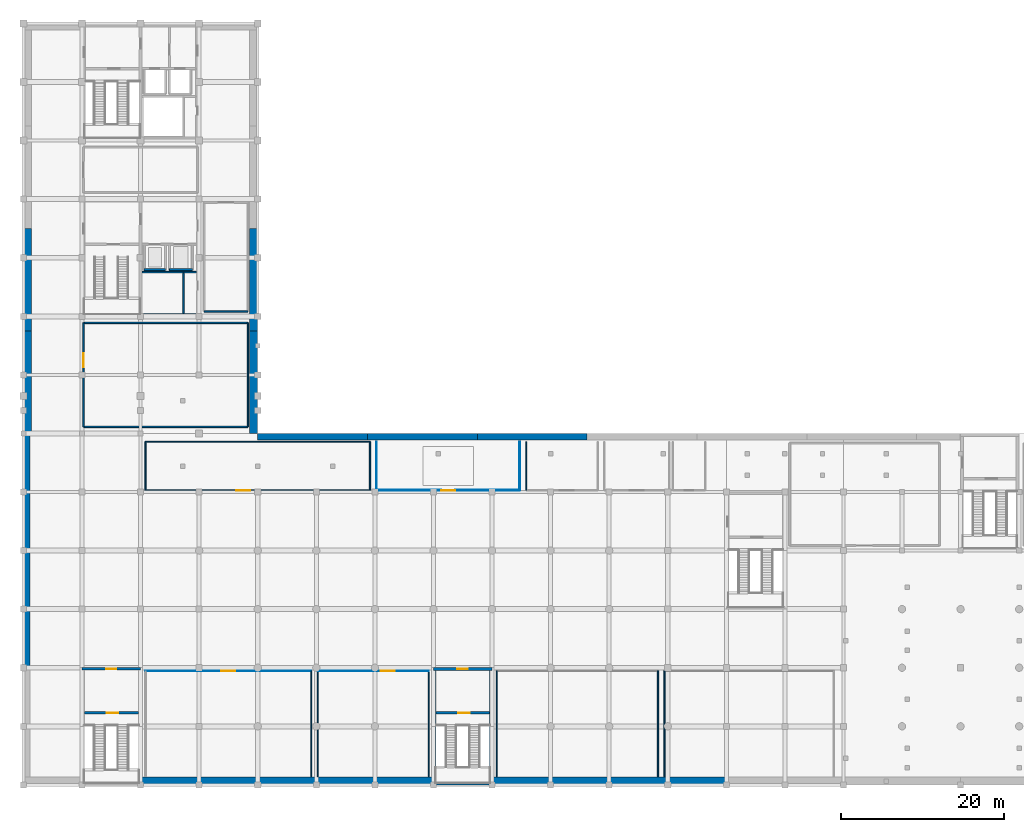
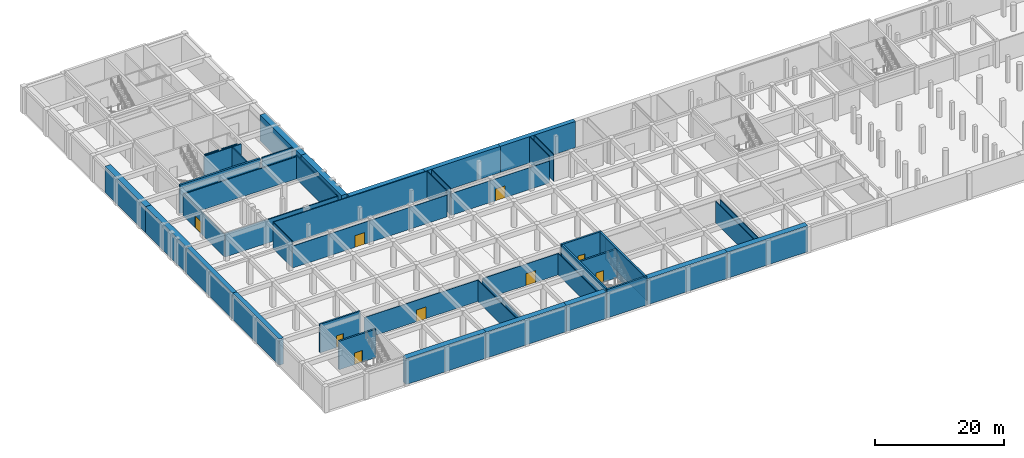
# One storey, part 5 of 15: 47 walls, 9 doors, 9 openings.
"""IFC4 building model written with IfcOpenShell, lengths in metres."""

from ifc_helpers import new_model, si_unit, direction, frame, frame_2d, origin, place, context, subcontext, project, spatial, rectangle, extrude, material, layer, layer_set, type_object, element, fill, save


model = new_model("IFC4")

# Units and contexts
model_context = context("Model", 3, precision=1e-05, world=origin(), true_north=direction((0.0, 1.0)))
body_context = subcontext(model_context, "Body", "Model", "MODEL_VIEW")
ifc_project = project(units=[si_unit("LENGTHUNIT", "METRE"), si_unit("AREAUNIT", "SQUARE_METRE"), si_unit("VOLUMEUNIT", "CUBIC_METRE"), si_unit("PLANEANGLEUNIT", "RADIAN"), si_unit("MASSUNIT", "GRAM", prefix="KILO")], contexts=[model_context])

# Site, building, storey
site_placement = place(None, origin())
site = spatial("IfcSite", under=ifc_project, at=site_placement, CompositionType="ELEMENT")
building_placement = place(site_placement, origin())
building = spatial("IfcBuilding", under=site, at=building_placement, Name="Leyfeld Transit Interchange", CompositionType="ELEMENT")
storey_placement = place(building_placement, frame((0.0, 0.0, -5.39990234375)))
storey = spatial("IfcBuildingStorey", under=building, at=storey_placement, Name="B01", CompositionType="ELEMENT", Elevation=-5.39990234375)

# Walls
ifc_material_1 = material(Name="Concrete C35/45", Category="concrete")
ifc_layer_1 = layer(ifc_material_1, 1.0, Name="Concrete C35/45")
ifc_layer_set_1 = layer_set([ifc_layer_1], Name="Concrete C35/45")
wall_type_1 = type_object("IfcWallType", Name="WL-DW-1000", PredefinedType="USERDEFINED", material=ifc_layer_set_1)
wall_1_placement = place(storey_placement, frame((86.39990234375, 14.89990234375, 0.0), z_axis=(0.0, 0.0, 1.0), x_axis=(-1.0, 0.0, 0.0)))
element("IfcWall", 1, at=wall_1_placement, inside=storey, type_object=wall_type_1, Name="Metro Diaphragm Wall DW-B01-S01-P06", ObjectType="RETAININGWALL", PredefinedType="USERDEFINED", context=body_context, shape_type="SweptSolid", body=[
    extrude(rectangle(XDim=14.39990234375, YDim=1.0, at=frame_2d((7.199951171875, 0.0))), origin(), (0.0, 0.0, 1.0), 4.949951171875),
])
wall_2_placement = place(storey_placement, frame((72.0, 14.89990234375, 0.0), z_axis=(0.0, 0.0, 1.0), x_axis=(-1.0, 0.0, 0.0)))
element("IfcWall", 2, at=wall_2_placement, inside=storey, type_object=wall_type_1, Name="Metro Diaphragm Wall DW-B01-S01-P07", ObjectType="RETAININGWALL", PredefinedType="USERDEFINED", context=body_context, shape_type="SweptSolid", body=[
    extrude(rectangle(XDim=14.35009765625, YDim=1.0, at=frame_2d((7.175048828125, 0.0))), origin(), (0.0, 0.0, 1.0), 4.949951171875),
])
wall_3_placement = place(storey_placement, frame((50.35009765625, 14.89990234375, 0.0), z_axis=(0.0, 0.0, 1.0), x_axis=(-1.0, 0.0, 0.0)))
element("IfcWall", 3, at=wall_3_placement, inside=storey, type_object=wall_type_1, Name="Metro Diaphragm Wall DW-B01-S01-P08", ObjectType="RETAININGWALL", PredefinedType="USERDEFINED", context=body_context, shape_type="SweptSolid", body=[
    extrude(rectangle(XDim=7.150146484375, YDim=1.0, at=frame_2d((3.5751953125, 0.0))), origin(), (0.0, 0.0, 1.0), 4.949951171875),
])
wall_4_placement = place(storey_placement, frame((43.199951171875, 14.89990234375, 0.0), z_axis=(0.0, 0.0, 1.0), x_axis=(-1.0, 0.0, 0.0)))
element("IfcWall", 4, at=wall_4_placement, inside=storey, type_object=wall_type_1, Name="Metro Diaphragm Wall DW-B01-S01-P09", ObjectType="RETAININGWALL", PredefinedType="USERDEFINED", context=body_context, shape_type="SweptSolid", body=[
    extrude(rectangle(XDim=14.39990234375, YDim=1.0, at=frame_2d((7.199951171875, 0.0))), origin(), (0.0, 0.0, 1.0), 4.949951171875),
])
wall_5_placement = place(storey_placement, frame((28.800048828125, 14.89990234375, 0.0), z_axis=(0.0, 0.0, 1.0), x_axis=(-1.0, 0.0, 0.0)))
element("IfcWall", 5, at=wall_5_placement, inside=storey, type_object=wall_type_1, Name="Metro Diaphragm Wall DW-B01-S01-P10", ObjectType="RETAININGWALL", PredefinedType="USERDEFINED", context=body_context, shape_type="SweptSolid", body=[
    extrude(rectangle(XDim=14.35009765625, YDim=1.0, at=frame_2d((7.175048828125, 0.0))), origin(), (0.0, 0.0, 1.0), 4.949951171875),
])
wall_6_placement = place(storey_placement, frame((0.5, 57.60009765625, 0.0), z_axis=(0.0, 0.0, 1.0), x_axis=(0.0, 1.0, 0.0)))
element("IfcWall", 6, at=wall_6_placement, inside=storey, type_object=wall_type_1, Name="Metro Diaphragm Wall DW-B01-S03-P01", ObjectType="RETAININGWALL", PredefinedType="USERDEFINED", context=body_context, shape_type="SweptSolid", body=[
    extrude(rectangle(XDim=12.599853515625, YDim=1.0, at=frame_2d((6.2998046875, 0.0))), origin(), (0.0, 0.0, 1.0), 4.949951171875),
])
for number, where, z_axis, x_axis, name in (
    (7, (0.5, 70.199951171875, 0.0), (0.0, 0.0, 1.0), (0.0, 1.0, 0.0), "Metro Diaphragm Wall DW-B01-S03-P02"),
    (8, (28.300048828125, 82.800048828125, 0.0), (0.0, 0.0, 1.0), (0.0, -1.0, 0.0), "Metro Diaphragm Wall DW-B01-S05-P03"),
):
    element("IfcWall", number, at=place(storey_placement, frame(where, z_axis=z_axis, x_axis=x_axis)), inside=storey, type_object=wall_type_1, Name=name, ObjectType="RETAININGWALL", PredefinedType="USERDEFINED", context=body_context, shape_type="SweptSolid", body=[
        extrude(rectangle(XDim=12.60009765625, YDim=1.0, at=frame_2d((6.300048828125, 0.0))), origin(), (0.0, 0.0, 1.0), 4.949951171875),
    ])
wall_7_placement = place(storey_placement, frame((28.300048828125, 70.199951171875, 0.0), z_axis=(0.0, 0.0, 1.0), x_axis=(0.0, -1.0, 0.0)))
element("IfcWall", 9, at=wall_7_placement, inside=storey, type_object=wall_type_1, Name="Metro Diaphragm Wall DW-B01-S05-P04", ObjectType="RETAININGWALL", PredefinedType="USERDEFINED", context=body_context, shape_type="SweptSolid", body=[
    extrude(rectangle(XDim=12.599853515625, YDim=1.0, at=frame_2d((6.2998046875, 0.0))), origin(), (0.0, 0.0, 1.0), 4.949951171875),
])
ifc_layer_2 = layer(ifc_material_1, 0.800048828125, Name="Concrete C35/45")
ifc_layer_set_2 = layer_set([ifc_layer_2], Name="Concrete C35/45")
wall_type_2 = type_object("IfcWallType", Name="WL-DW-800", PredefinedType="USERDEFINED", material=ifc_layer_set_2)
wall_8_placement = place(storey_placement, frame((0.39990234375, 28.800048828125, 0.0), z_axis=(0.0, 0.0, 1.0), x_axis=(0.0, 1.0, 0.0)))
element("IfcWall", 10, at=wall_8_placement, inside=storey, type_object=wall_type_2, Name="Metro Diaphragm Wall DW-B01-S02-P02", ObjectType="RETAININGWALL", PredefinedType="USERDEFINED", context=body_context, shape_type="SweptSolid", body=[
    extrude(rectangle(XDim=14.39990234375, YDim=0.800048828125, at=frame_2d((7.199951171875, 0.0))), origin(), (0.0, 0.0, 1.0), 4.949951171875),
])
wall_9_placement = place(storey_placement, frame((0.39990234375, 43.199951171875, 0.0), z_axis=(0.0, 0.0, 1.0), x_axis=(0.0, 1.0, 0.0)))
element("IfcWall", 11, at=wall_9_placement, inside=storey, type_object=wall_type_2, Name="Metro Diaphragm Wall DW-B01-S02-P03", ObjectType="RETAININGWALL", PredefinedType="USERDEFINED", context=body_context, shape_type="SweptSolid", body=[
    extrude(rectangle(XDim=14.400146484375, YDim=0.800048828125, at=frame_2d((7.2001953125, 0.0))), origin(), (0.0, 0.0, 1.0), 4.949951171875),
])
for number, where, z_axis, x_axis, name in (
    (12, (28.800048828125, 57.199951171875, 0.0), (0.0, 0.0, 1.0), (1.0, 0.0, 0.0), "Metro Diaphragm Wall DW-B01-S06-P01"),
    (13, (42.300048828125, 57.199951171875, 0.0), (0.0, 0.0, 1.0), (1.0, 0.0, 0.0), "Metro Diaphragm Wall DW-B01-S06-P02"),
    (14, (55.800048828125, 57.199951171875, 0.0), (0.0, 0.0, 1.0), (1.0, 0.0, 0.0), "Metro Diaphragm Wall DW-B01-S06-P03"),
):
    element("IfcWall", number, at=place(storey_placement, frame(where, z_axis=z_axis, x_axis=x_axis)), inside=storey, type_object=wall_type_2, Name=name, ObjectType="RETAININGWALL", PredefinedType="USERDEFINED", context=body_context, shape_type="SweptSolid", body=[
        extrude(rectangle(XDim=13.5, YDim=0.800048828125, at=frame_2d((6.75, 0.0))), origin(), (0.0, 0.0, 1.0), 4.949951171875),
    ])
ifc_material_2 = material(Name="Calcium silicate masonry", Category="masonry")
ifc_layer_3 = layer(ifc_material_2, 0.175048828125, Name="Calcium silicate masonry")
ifc_layer_set_3 = layer_set([ifc_layer_3], Name="Calcium silicate masonry")
wall_type_3 = type_object("IfcWallType", Name="WL-INT-COR-175", PredefinedType="PARTITIONING", material=ifc_layer_set_3)
wall_10_placement = place(storey_placement, frame((7.39990234375, 71.199951171875, 0.0), z_axis=(0.0, 0.0, 1.0), x_axis=(1.0, 0.0, 0.0)))
element("IfcWall", 15, at=wall_10_placement, inside=storey, type_object=wall_type_3, Name="Interior Partition B01-CYC-01 N", PredefinedType="PARTITIONING", context=body_context, shape_type="SweptSolid", body=[
    extrude(rectangle(XDim=20.2001953125, YDim=0.175048828125, at=frame_2d((10.10009765625, 0.0))), origin(), (0.0, 0.0, 1.0), 4.199951171875),
])
wall_11_placement = place(storey_placement, frame((27.60009765625, 58.39990234375, 0.0), z_axis=(0.0, 0.0, 1.0), x_axis=(-1.0, 0.0, 0.0)))
element("IfcWall", 16, at=wall_11_placement, inside=storey, type_object=wall_type_3, Name="Interior Partition B01-CYC-01 S", PredefinedType="PARTITIONING", context=body_context, shape_type="SweptSolid", body=[
    extrude(rectangle(XDim=20.2001953125, YDim=0.175048828125, at=frame_2d((10.10009765625, 0.0))), origin(), (0.0, 0.0, 1.0), 4.449951171875),
])
wall_12_placement = place(storey_placement, frame((27.60009765625, 71.199951171875, 0.0), z_axis=(0.0, 0.0, 1.0), x_axis=(0.0, -1.0, 0.0)))
element("IfcWall", 17, at=wall_12_placement, inside=storey, type_object=wall_type_3, Name="Interior Partition B01-CYC-01 E", PredefinedType="PARTITIONING", context=body_context, shape_type="SweptSolid", body=[
    extrude(rectangle(XDim=12.800048828125, YDim=0.175048828125, at=frame_2d((6.39990234375, 0.0))), origin(), (0.0, 0.0, 1.0), 4.449951171875),
])

# Wall, opening, door
wall_13_placement = place(storey_placement, frame((7.39990234375, 58.39990234375, 0.0), z_axis=(0.0, 0.0, 1.0), x_axis=(0.0, 1.0, 0.0)))
wall_13 = element("IfcWall", 18, at=wall_13_placement, inside=storey, type_object=wall_type_3, Name="Interior Partition B01-CYC-01 W", PredefinedType="PARTITIONING", context=body_context, shape_type="SweptSolid", body=[
    extrude(rectangle(XDim=12.800048828125, YDim=0.175048828125, at=frame_2d((6.39990234375, 0.0))), origin(), (0.0, 0.0, 1.0), 4.199951171875),
])
opening_1_placement = place(wall_13_placement, frame((7.31005859375, 0.0, 0.0)))
opening_1 = element("IfcOpeningElement", 19, at=opening_1_placement, cuts=wall_13, Name="Opening DU-19", PredefinedType="OPENING", context=body_context, shape_type="SweptSolid", body=[
    extrude(rectangle(XDim=1.780029296875, YDim=2.280029296875, at=frame_2d((0.89013671875, 1.14013671875))), frame((0.0, 0.097412109375, 0.0), z_axis=(0.0, -1.0, 0.0), x_axis=(1.0, 0.0, 0.0)), (0.0, 0.0, 1.0), 0.195068359375),
])
ifc_material_3 = material(Name="Austrian larch glulam GL28h", Category="wood")
door_type_1 = type_object("IfcDoorType", Name="DR-UNQ-19", OperationType="NOTDEFINED", PredefinedType="DOOR", material=ifc_material_3)
door_1_placement = place(opening_1_placement, origin())
door_1 = element("IfcDoor", 20, at=door_1_placement, inside=storey, type_object=door_type_1, Name="DR-B01-CYC-01", OperationType="DOUBLE_DOOR_SINGLE_SWING", OverallHeight=2.280029296875, OverallWidth=1.780029296875, PredefinedType="DOOR", context=body_context, shape_type="SweptSolid", body=[
    extrude(rectangle(XDim=1.780029296875, YDim=2.280029296875, at=frame_2d((0.89013671875, 1.14013671875))), frame((0.0, 0.02490234375, 0.0), z_axis=(0.0, -1.0, 0.0), x_axis=(1.0, 0.0, 0.0)), (0.0, 0.0, 1.0), 0.050048828125),
])
fill(opening_1, door_1)

# Wall
wall_14_placement = place(storey_placement, frame((27.60009765625, 72.60009765625, 0.0), z_axis=(0.0, 0.0, 1.0), x_axis=(-1.0, 0.0, 0.0)))
element("IfcWall", 21, at=wall_14_placement, inside=storey, type_object=wall_type_3, Name="Interior Partition B01-BIK-01 S", PredefinedType="PARTITIONING", context=body_context, shape_type="SweptSolid", body=[
    extrude(rectangle(XDim=5.400146484375, YDim=0.175048828125, at=frame_2d((2.7001953125, 0.0))), origin(), (0.0, 0.0, 1.0), 5.0498046875),
])

# Wall, opening, door
ifc_material_4 = material(Name="Laminated safety acoustic glazing", Category="glass")
ifc_layer_4 = layer(ifc_material_4, 0.10498046875, Name="Laminated safety acoustic glazing")
ifc_layer_set_4 = layer_set([ifc_layer_4], Name="Laminated safety acoustic glazing")
wall_type_4 = type_object("IfcWallType", Name="WL-INT-GLZ-105", PredefinedType="PARTITIONING", material=ifc_layer_set_4)
wall_15_placement = place(storey_placement, frame((15.0, 28.39990234375, 0.0), z_axis=(0.0, 0.0, 1.0), x_axis=(1.0, 0.0, 0.0)))
wall_15 = element("IfcWall", 22, at=wall_15_placement, inside=storey, type_object=wall_type_4, Name="Interior Partition B01-TIC-01 N", PredefinedType="PARTITIONING", context=body_context, shape_type="SweptSolid", body=[
    extrude(rectangle(XDim=20.39990234375, YDim=0.10498046875, at=frame_2d((10.199951171875, 0.0))), origin(), (0.0, 0.0, 1.0), 4.0498046875),
])
opening_2_placement = place(wall_15_placement, frame((9.340087890625, 0.0, 0.0)))
opening_2 = element("IfcOpeningElement", 23, at=opening_2_placement, cuts=wall_15, Name="Opening DU-18", PredefinedType="OPENING", context=body_context, shape_type="SweptSolid", body=[
    extrude(rectangle(XDim=1.719970703125, YDim=2.219970703125, at=frame_2d((0.85986328125, 1.10986328125))), frame((0.0, 0.0625, 0.0), z_axis=(0.0, -1.0, 0.0), x_axis=(1.0, 0.0, 0.0)), (0.0, 0.0, 1.0), 0.125),
])
door_type_2 = type_object("IfcDoorType", Name="DR-UNQ-18", OperationType="NOTDEFINED", PredefinedType="DOOR", material=ifc_material_3)
door_2_placement = place(opening_2_placement, origin())
door_2 = element("IfcDoor", 24, at=door_2_placement, inside=storey, type_object=door_type_2, Name="DR-B01-TIC-01", OperationType="DOUBLE_DOOR_SINGLE_SWING", OverallHeight=2.219970703125, OverallWidth=1.719970703125, PredefinedType="DOOR", context=body_context, shape_type="SweptSolid", body=[
    extrude(rectangle(XDim=1.719970703125, YDim=2.219970703125, at=frame_2d((0.85986328125, 1.10986328125))), frame((0.0, 0.02490234375, 0.0), z_axis=(0.0, -1.0, 0.0), x_axis=(1.0, 0.0, 0.0)), (0.0, 0.0, 1.0), 0.050048828125),
])
fill(opening_2, door_2)

wall_16_placement = place(storey_placement, frame((36.199951171875, 28.39990234375, 0.0), z_axis=(0.0, 0.0, 1.0), x_axis=(1.0, 0.0, 0.0)))
wall_16 = element("IfcWall", 25, at=wall_16_placement, inside=storey, type_object=wall_type_4, Name="Interior Partition B01-RET-01 N", PredefinedType="PARTITIONING", context=body_context, shape_type="SweptSolid", body=[
    extrude(rectangle(XDim=13.60009765625, YDim=0.10498046875, at=frame_2d((6.800048828125, 0.0))), origin(), (0.0, 0.0, 1.0), 4.0498046875),
])
opening_3_placement = place(wall_16_placement, frame((7.739990234375, 0.0, 0.0)))
opening_3 = element("IfcOpeningElement", 26, at=opening_3_placement, cuts=wall_16, Name="Opening DU-18", PredefinedType="OPENING", context=body_context, shape_type="SweptSolid", body=[
    extrude(rectangle(XDim=1.719970703125, YDim=2.219970703125, at=frame_2d((0.85986328125, 1.10986328125))), frame((0.0, 0.0625, 0.0), z_axis=(0.0, -1.0, 0.0), x_axis=(1.0, 0.0, 0.0)), (0.0, 0.0, 1.0), 0.125),
])
door_3_placement = place(opening_3_placement, origin())
door_3 = element("IfcDoor", 27, at=door_3_placement, inside=storey, type_object=door_type_2, Name="DR-B01-RET-01", OperationType="DOUBLE_DOOR_SINGLE_SWING", OverallHeight=2.219970703125, OverallWidth=1.719970703125, PredefinedType="DOOR", context=body_context, shape_type="SweptSolid", body=[
    extrude(rectangle(XDim=1.719970703125, YDim=2.219970703125, at=frame_2d((0.85986328125, 1.10986328125))), frame((0.0, 0.02490234375, 0.0), z_axis=(0.0, -1.0, 0.0), x_axis=(1.0, 0.0, 0.0)), (0.0, 0.0, 1.0), 0.050048828125),
])
fill(opening_3, door_3)

ifc_material_5 = material(Name="Gypsum plasterboard acoustic stud", Category="gypsum")
ifc_layer_5 = layer(ifc_material_5, 0.114990234375, Name="Gypsum plasterboard acoustic stud")
ifc_layer_set_5 = layer_set([ifc_layer_5], Name="Gypsum plasterboard acoustic stud")
wall_type_5 = type_object("IfcWallType", Name="WL-INT-OFF-115", PredefinedType="PARTITIONING", material=ifc_layer_set_5)
wall_17_placement = place(storey_placement, frame((61.0, 50.60009765625, 0.0), z_axis=(0.0, 0.0, 1.0), x_axis=(-1.0, 0.0, 0.0)))
wall_17 = element("IfcWall", 28, at=wall_17_placement, inside=storey, type_object=wall_type_5, Name="Interior Partition B01-SEC-01 S", PredefinedType="PARTITIONING", context=body_context, shape_type="SweptSolid", body=[
    extrude(rectangle(XDim=17.60009765625, YDim=0.114990234375, at=frame_2d((8.800048828125, 0.0))), origin(), (0.0, 0.0, 1.0), 4.14990234375),
])
opening_4_placement = place(wall_17_placement, frame((7.93994140625, 0.0, 0.0)))
opening_4 = element("IfcOpeningElement", 29, at=opening_4_placement, cuts=wall_17, Name="Opening DU-18", PredefinedType="OPENING", context=body_context, shape_type="SweptSolid", body=[
    extrude(rectangle(XDim=1.719970703125, YDim=2.219970703125, at=frame_2d((0.85986328125, 1.10986328125))), frame((0.0, 0.0673828125, 0.0), z_axis=(0.0, -1.0, 0.0), x_axis=(1.0, 0.0, 0.0)), (0.0, 0.0, 1.0), 0.135009765625),
])
door_4_placement = place(opening_4_placement, origin())
door_4 = element("IfcDoor", 30, at=door_4_placement, inside=storey, type_object=door_type_2, Name="DR-B01-SEC-01", OperationType="DOUBLE_DOOR_SINGLE_SWING", OverallHeight=2.219970703125, OverallWidth=1.719970703125, PredefinedType="DOOR", context=body_context, shape_type="SweptSolid", body=[
    extrude(rectangle(XDim=1.719970703125, YDim=2.219970703125, at=frame_2d((0.85986328125, 1.10986328125))), frame((0.0, 0.02490234375, 0.0), z_axis=(0.0, -1.0, 0.0), x_axis=(1.0, 0.0, 0.0)), (0.0, 0.0, 1.0), 0.050048828125),
])
fill(opening_4, door_4)

# Walls
for number, where, z_axis, x_axis, name in (
    (31, (61.0, 56.60009765625, 0.0), (0.0, 0.0, 1.0), (0.0, -1.0, 0.0), "Interior Partition B01-SEC-01 E"),
    (32, (43.39990234375, 50.60009765625, 0.0), (0.0, 0.0, 1.0), (0.0, 1.0, 0.0), "Interior Partition B01-SEC-01 W"),
):
    element("IfcWall", number, at=place(storey_placement, frame(where, z_axis=z_axis, x_axis=x_axis)), inside=storey, type_object=wall_type_5, Name=name, PredefinedType="PARTITIONING", context=body_context, shape_type="SweptSolid", body=[
        extrude(rectangle(XDim=6.0, YDim=0.114990234375, at=frame_2d((3.0, 0.0))), origin(), (0.0, 0.0, 1.0), 5.0498046875),
    ])
ifc_layer_6 = layer(ifc_material_2, 0.18994140625, Name="Calcium silicate masonry")
ifc_layer_set_6 = layer_set([ifc_layer_6], Name="Calcium silicate masonry")
wall_type_6 = type_object("IfcWallType", Name="WL-INT-PLT-190", PredefinedType="PARTITIONING", material=ifc_layer_set_6)
wall_18_placement = place(storey_placement, frame((14.580078125, 77.419921875, 0.0), z_axis=(0.0, 0.0, 1.0), x_axis=(1.0, 0.0, 0.0)))
element("IfcWall", 33, at=wall_18_placement, inside=storey, type_object=wall_type_6, Name="Core K3 Riser Compartment Wall B01", PredefinedType="PARTITIONING", context=body_context, shape_type="SweptSolid", body=[
    extrude(rectangle(XDim=6.669921875, YDim=0.18994140625, at=frame_2d((3.3349609375, 0.0))), origin(), (0.0, 0.0, 1.0), 5.0498046875),
])
wall_19_placement = place(storey_placement, frame((19.64990234375, 72.35009765625, 0.0), z_axis=(0.0, 0.0, 1.0), x_axis=(0.0, 1.0, 0.0)))
element("IfcWall", 34, at=wall_19_placement, inside=storey, type_object=wall_type_6, Name="Core K3 Riser Shaft East Wall B01", PredefinedType="PARTITIONING", context=body_context, shape_type="SweptSolid", body=[
    extrude(rectangle(XDim=4.97998046875, YDim=0.18994140625, at=frame_2d((2.489990234375, 0.0))), origin(), (0.0, 0.0, 1.0), 5.0498046875),
])
ifc_layer_7 = layer(ifc_material_5, 0.135009765625, Name="Gypsum plasterboard acoustic stud")
ifc_layer_set_7 = layer_set([ifc_layer_7], Name="Gypsum plasterboard acoustic stud")
wall_type_7 = type_object("IfcWallType", Name="WL-INT-RET-135", PredefinedType="PARTITIONING", material=ifc_layer_set_7)
for number, where, z_axis, x_axis, name in (
    (35, (35.39990234375, 28.39990234375, 0.0), (0.0, 0.0, 1.0), (0.0, -1.0, 0.0), "Interior Partition B01-TIC-01 E"),
    (36, (49.800048828125, 28.39990234375, 0.0), (0.0, 0.0, 1.0), (0.0, -1.0, 0.0), "Interior Partition B01-RET-01 E"),
    (37, (36.199951171875, 15.39990234375, 0.0), (0.0, 0.0, 1.0), (0.0, 1.0, 0.0), "Interior Partition B01-RET-01 W"),
    (38, (78.0, 28.39990234375, 0.0), (0.0, 0.0, 1.0), (0.0, -1.0, 0.0), "Interior Partition B01-RET-02 E"),
    (39, (58.199951171875, 15.39990234375, 0.0), (0.0, 0.0, 1.0), (0.0, 1.0, 0.0), "Interior Partition B01-RET-02 W"),
    (40, (78.800048828125, 15.39990234375, 0.0), (0.0, 0.0, 1.0), (0.0, 1.0, 0.0), "Interior Partition B01-RET-03 W"),
):
    element("IfcWall", number, at=place(storey_placement, frame(where, z_axis=z_axis, x_axis=x_axis)), inside=storey, type_object=wall_type_7, Name=name, PredefinedType="PARTITIONING", context=body_context, shape_type="SweptSolid", body=[
        extrude(rectangle(XDim=13.0, YDim=0.135009765625, at=frame_2d((6.5, 0.0))), origin(), (0.0, 0.0, 1.0), 4.0498046875),
    ])
ifc_layer_8 = layer(ifc_material_1, 0.219970703125, Name="Concrete C35/45")
ifc_layer_set_8 = layer_set([ifc_layer_8], Name="Concrete C35/45")
wall_type_8 = type_object("IfcWallType", Name="WL-INT-SHF-220", PredefinedType="PARTITIONING", material=ifc_layer_set_8)
wall_20_placement = place(storey_placement, frame((14.840087890625, 77.739990234375, 0.0), z_axis=(0.0, 0.0, 1.0), x_axis=(1.0, 0.0, 0.0)))
element("IfcWall", 41, at=wall_20_placement, inside=storey, type_object=wall_type_8, Name="Core K3 Lift PL-3 Shaft Back Wall B01", PredefinedType="PARTITIONING", context=body_context, shape_type="SweptSolid", body=[
    extrude(rectangle(XDim=2.619873046875, YDim=0.219970703125, at=frame_2d((1.31005859375, 0.0))), origin(), (0.0, 0.0, 1.0), 5.0498046875),
])
wall_21_placement = place(storey_placement, frame((17.93994140625, 77.739990234375, 0.0), z_axis=(0.0, 0.0, 1.0), x_axis=(1.0, 0.0, 0.0)))
element("IfcWall", 42, at=wall_21_placement, inside=storey, type_object=wall_type_8, Name="Core K3 Lift GL-1 Shaft Back Wall B01", PredefinedType="PARTITIONING", context=body_context, shape_type="SweptSolid", body=[
    extrude(rectangle(XDim=2.820068359375, YDim=0.219970703125, at=frame_2d((1.41015625, 0.0))), origin(), (0.0, 0.0, 1.0), 5.0498046875),
])
ifc_layer_9 = layer(ifc_material_5, 0.14501953125, Name="Gypsum plasterboard acoustic stud")
ifc_layer_set_9 = layer_set([ifc_layer_9], Name="Gypsum plasterboard acoustic stud")
wall_type_9 = type_object("IfcWallType", Name="WL-INT-STD-145", PredefinedType="PARTITIONING", material=ifc_layer_set_9)
wall_22_placement = place(storey_placement, frame((15.0, 56.60009765625, 0.0), z_axis=(0.0, 0.0, 1.0), x_axis=(1.0, 0.0, 0.0)))
element("IfcWall", 43, at=wall_22_placement, inside=storey, type_object=wall_type_9, Name="Interior Partition B01-LUG-01 N", PredefinedType="PARTITIONING", context=body_context, shape_type="SweptSolid", body=[
    extrude(rectangle(XDim=27.60009765625, YDim=0.14501953125, at=frame_2d((13.800048828125, 0.0))), origin(), (0.0, 0.0, 1.0), 5.0498046875),
])

# Wall, opening, door
wall_23_placement = place(storey_placement, frame((42.60009765625, 50.60009765625, 0.0), z_axis=(0.0, 0.0, 1.0), x_axis=(-1.0, 0.0, 0.0)))
wall_23 = element("IfcWall", 44, at=wall_23_placement, inside=storey, type_object=wall_type_9, Name="Interior Partition B01-LUG-01 S", PredefinedType="PARTITIONING", context=body_context, shape_type="SweptSolid", body=[
    extrude(rectangle(XDim=27.60009765625, YDim=0.14501953125, at=frame_2d((13.800048828125, 0.0))), origin(), (0.0, 0.0, 1.0), 4.14990234375),
])
opening_5_placement = place(wall_23_placement, frame((14.739990234375, 0.0, 0.0)))
opening_5 = element("IfcOpeningElement", 45, at=opening_5_placement, cuts=wall_23, Name="Opening DU-18", PredefinedType="OPENING", context=body_context, shape_type="SweptSolid", body=[
    extrude(rectangle(XDim=1.719970703125, YDim=2.219970703125, at=frame_2d((0.85986328125, 1.10986328125))), frame((0.0, 0.08251953125, 0.0), z_axis=(0.0, -1.0, 0.0), x_axis=(1.0, 0.0, 0.0)), (0.0, 0.0, 1.0), 0.1650390625),
])
door_5_placement = place(opening_5_placement, origin())
door_5 = element("IfcDoor", 46, at=door_5_placement, inside=storey, type_object=door_type_2, Name="DR-B01-LUG-01", OperationType="DOUBLE_DOOR_SINGLE_SWING", OverallHeight=2.219970703125, OverallWidth=1.719970703125, PredefinedType="DOOR", context=body_context, shape_type="SweptSolid", body=[
    extrude(rectangle(XDim=1.719970703125, YDim=2.219970703125, at=frame_2d((0.85986328125, 1.10986328125))), frame((0.0, 0.02490234375, 0.0), z_axis=(0.0, -1.0, 0.0), x_axis=(1.0, 0.0, 0.0)), (0.0, 0.0, 1.0), 0.050048828125),
])
fill(opening_5, door_5)

# Walls
for number, where, z_axis, x_axis, name in (
    (47, (42.60009765625, 56.60009765625, 0.0), (0.0, 0.0, 1.0), (0.0, -1.0, 0.0), "Interior Partition B01-LUG-01 E"),
    (48, (15.0, 50.60009765625, 0.0), (0.0, 0.0, 1.0), (0.0, 1.0, 0.0), "Interior Partition B01-LUG-01 W"),
):
    element("IfcWall", number, at=place(storey_placement, frame(where, z_axis=z_axis, x_axis=x_axis)), inside=storey, type_object=wall_type_9, Name=name, PredefinedType="PARTITIONING", context=body_context, shape_type="SweptSolid", body=[
        extrude(rectangle(XDim=6.0, YDim=0.14501953125, at=frame_2d((3.0, 0.0))), origin(), (0.0, 0.0, 1.0), 5.0498046875),
    ])
ifc_material_6 = material(Name="Autoclaved aerated blockwork G4", Category="masonry")
ifc_layer_10 = layer(ifc_material_6, 0.125, Name="Autoclaved aerated blockwork G4")
ifc_layer_set_10 = layer_set([ifc_layer_10], Name="Autoclaved aerated blockwork G4")
wall_type_10 = type_object("IfcWallType", Name="WL-INT-WC-125", PredefinedType="PARTITIONING", material=ifc_layer_set_10)
wall_24_placement = place(storey_placement, frame((61.800048828125, 50.60009765625, 0.0), z_axis=(0.0, 0.0, 1.0), x_axis=(0.0, 1.0, 0.0)))
element("IfcWall", 49, at=wall_24_placement, inside=storey, type_object=wall_type_10, Name="Interior Partition B01-WCM-01 W", PredefinedType="PARTITIONING", context=body_context, shape_type="SweptSolid", body=[
    extrude(rectangle(XDim=6.0, YDim=0.125, at=frame_2d((3.0, 0.0))), origin(), (0.0, 0.0, 1.0), 5.0498046875),
])

# Wall, opening, door
ifc_layer_11 = layer(ifc_material_1, 0.300048828125, Name="Concrete C35/45")
ifc_layer_set_11 = layer_set([ifc_layer_11], Name="Concrete C35/45")
wall_type_11 = type_object("IfcWallType", Name="WL-SH-300", PredefinedType="SHEAR", material=ifc_layer_set_11)
wall_25_placement = place(storey_placement, frame((7.47998046875, 23.25, 0.0), z_axis=(0.0, 0.0, 1.0), x_axis=(1.0, 0.0, 0.0)))
wall_25 = element("IfcWall", 50, at=wall_25_placement, inside=storey, type_object=wall_type_11, Name="Core K6 Shear Wall STRN B01", PredefinedType="SHEAR", context=body_context, shape_type="SweptSolid", body=[
    extrude(rectangle(XDim=6.64013671875, YDim=0.300048828125, at=frame_2d((3.320068359375, 0.0))), origin(), (0.0, 0.0, 1.0), 5.39990234375),
])
opening_6_placement = place(wall_25_placement, frame((2.760009765625, 0.0, 0.0)))
opening_6 = element("IfcOpeningElement", 51, at=opening_6_placement, cuts=wall_25, Name="Opening DI-01", PredefinedType="OPENING", context=body_context, shape_type="SweptSolid", body=[
    extrude(rectangle(XDim=1.39990234375, YDim=2.199951171875, at=frame_2d((0.699951171875, 1.10009765625))), frame((0.0, 0.159912109375, 0.0), z_axis=(0.0, -1.0, 0.0), x_axis=(1.0, 0.0, 0.0)), (0.0, 0.0, 1.0), 0.320068359375),
])
ifc_material_7 = material(Name="Galvanised steel S275JR", Category="steel")
door_type_3 = type_object("IfcDoorType", Name="DR-STR-1400x2200", OperationType="NOTDEFINED", PredefinedType="DOOR", material=ifc_material_7)
door_6_placement = place(opening_6_placement, origin())
door_6 = element("IfcDoor", 52, at=door_6_placement, inside=storey, type_object=door_type_3, Name="DR-STR-INT-K6-B01", OperationType="SINGLE_SWING_LEFT", OverallHeight=2.199951171875, OverallWidth=1.39990234375, PredefinedType="DOOR", context=body_context, shape_type="SweptSolid", body=[
    extrude(rectangle(XDim=1.39990234375, YDim=2.199951171875, at=frame_2d((0.699951171875, 1.10009765625))), frame((0.0, 0.02490234375, 0.0), z_axis=(0.0, -1.0, 0.0), x_axis=(1.0, 0.0, 0.0)), (0.0, 0.0, 1.0), 0.050048828125),
])
fill(opening_6, door_6)

wall_26_placement = place(storey_placement, frame((50.72998046875, 23.25, 0.0), z_axis=(0.0, 0.0, 1.0), x_axis=(1.0, 0.0, 0.0)))
wall_26 = element("IfcWall", 53, at=wall_26_placement, inside=storey, type_object=wall_type_11, Name="Core K8 Shear Wall STRN B01", PredefinedType="SHEAR", context=body_context, shape_type="SweptSolid", body=[
    extrude(rectangle(XDim=6.5400390625, YDim=0.300048828125, at=frame_2d((3.27001953125, 0.0))), origin(), (0.0, 0.0, 1.0), 5.39990234375),
])
opening_7_placement = place(wall_26_placement, frame((2.735107421875, 0.0, 0.0)))
opening_7 = element("IfcOpeningElement", 54, at=opening_7_placement, cuts=wall_26, Name="Opening DI-01", PredefinedType="OPENING", context=body_context, shape_type="SweptSolid", body=[
    extrude(rectangle(XDim=1.39990234375, YDim=2.199951171875, at=frame_2d((0.699951171875, 1.10009765625))), frame((0.0, 0.159912109375, 0.0), z_axis=(0.0, -1.0, 0.0), x_axis=(1.0, 0.0, 0.0)), (0.0, 0.0, 1.0), 0.320068359375),
])
door_7_placement = place(opening_7_placement, origin())
door_7 = element("IfcDoor", 55, at=door_7_placement, inside=storey, type_object=door_type_3, Name="DR-STR-INT-K8-B01", OperationType="SINGLE_SWING_RIGHT", OverallHeight=2.199951171875, OverallWidth=1.39990234375, PredefinedType="DOOR", context=body_context, shape_type="SweptSolid", body=[
    extrude(rectangle(XDim=1.39990234375, YDim=2.199951171875, at=frame_2d((0.699951171875, 1.10009765625))), frame((0.0, 0.02490234375, 0.0), z_axis=(0.0, -1.0, 0.0), x_axis=(1.0, 0.0, 0.0)), (0.0, 0.0, 1.0), 0.050048828125),
])
fill(opening_7, door_7)

# Wall
ifc_layer_12 = layer(ifc_material_1, 0.35009765625, Name="Concrete C35/45")
ifc_layer_set_12 = layer_set([ifc_layer_12], Name="Concrete C35/45")
wall_type_12 = type_object("IfcWallType", Name="WL-SH-350", PredefinedType="SHEAR", material=ifc_layer_set_12)
wall_27_placement = place(storey_placement, frame((21.60009765625, 72.175048828125, 0.0), z_axis=(0.0, 0.0, 1.0), x_axis=(-1.0, 0.0, 0.0)))
element("IfcWall", 56, at=wall_27_placement, inside=storey, type_object=wall_type_12, Name="Core K3 Shear Wall S B01", PredefinedType="SHEAR", context=body_context, shape_type="SweptSolid", body=[
    extrude(rectangle(XDim=14.400146484375, YDim=0.35009765625, at=frame_2d((7.2001953125, 0.0))), origin(), (0.0, 0.0, 1.0), 5.39990234375),
])

# Wall, opening, door
ifc_layer_13 = layer(ifc_material_1, 0.280029296875, Name="Concrete C35/45")
ifc_layer_set_13 = layer_set([ifc_layer_13], Name="Concrete C35/45")
wall_type_13 = type_object("IfcWallType", Name="WL-SH-VAR-280", PredefinedType="SHEAR", material=ifc_layer_set_13)
wall_28_placement = place(storey_placement, frame((7.199951171875, 28.659912109375, 0.0), z_axis=(0.0, 0.0, 1.0), x_axis=(1.0, 0.0, 0.0)))
wall_28 = element("IfcWall", 57, at=wall_28_placement, inside=storey, type_object=wall_type_13, Name="Core K6 Shear Wall N B01", PredefinedType="SHEAR", context=body_context, shape_type="SweptSolid", body=[
    extrude(rectangle(XDim=7.199951171875, YDim=0.280029296875, at=frame_2d((3.60009765625, 0.0))), origin(), (0.0, 0.0, 1.0), 5.39990234375),
])
opening_8_placement = place(wall_28_placement, frame((2.949951171875, 0.0, 0.0)))
opening_8 = element("IfcOpeningElement", 58, at=opening_8_placement, cuts=wall_28, Name="Opening DI-02", PredefinedType="OPENING", context=body_context, shape_type="SweptSolid", body=[
    extrude(rectangle(XDim=1.25, YDim=2.199951171875, at=frame_2d((0.625, 1.10009765625))), frame((0.0, 0.14990234375, 0.0), z_axis=(0.0, -1.0, 0.0), x_axis=(1.0, 0.0, 0.0)), (0.0, 0.0, 1.0), 0.300048828125),
])
door_type_4 = type_object("IfcDoorType", Name="DR-FFL-1250x2200", OperationType="NOTDEFINED", PredefinedType="DOOR", material=ifc_material_7)
door_8_placement = place(opening_8_placement, origin())
door_8 = element("IfcDoor", 59, at=door_8_placement, inside=storey, type_object=door_type_4, Name="DR-CORE-OUT-K6-B01", OperationType="SINGLE_SWING_RIGHT", OverallHeight=2.199951171875, OverallWidth=1.25, PredefinedType="DOOR", context=body_context, shape_type="SweptSolid", body=[
    extrude(rectangle(XDim=1.25, YDim=2.199951171875, at=frame_2d((0.625, 1.10009765625))), frame((0.0, 0.02490234375, 0.0), z_axis=(0.0, -1.0, 0.0), x_axis=(1.0, 0.0, 0.0)), (0.0, 0.0, 1.0), 0.050048828125),
])
fill(opening_8, door_8)

ifc_layer_14 = layer(ifc_material_1, 0.330078125, Name="Concrete C35/45")
ifc_layer_set_14 = layer_set([ifc_layer_14], Name="Concrete C35/45")
wall_type_14 = type_object("IfcWallType", Name="WL-SH-VAR-330", PredefinedType="SHEAR", material=ifc_layer_set_14)
wall_29_placement = place(storey_placement, frame((50.39990234375, 28.635009765625, 0.0), z_axis=(0.0, 0.0, 1.0), x_axis=(1.0, 0.0, 0.0)))
wall_29 = element("IfcWall", 60, at=wall_29_placement, inside=storey, type_object=wall_type_14, Name="Core K8 Shear Wall N B01", PredefinedType="SHEAR", context=body_context, shape_type="SweptSolid", body=[
    extrude(rectangle(XDim=7.2001953125, YDim=0.330078125, at=frame_2d((3.60009765625, 0.0))), origin(), (0.0, 0.0, 1.0), 5.39990234375),
])
opening_9_placement = place(wall_29_placement, frame((2.949951171875, 0.0, 0.0)))
opening_9 = element("IfcOpeningElement", 61, at=opening_9_placement, cuts=wall_29, Name="Opening DI-02", PredefinedType="OPENING", context=body_context, shape_type="SweptSolid", body=[
    extrude(rectangle(XDim=1.25, YDim=2.199951171875, at=frame_2d((0.625, 1.10009765625))), frame((0.0, 0.175048828125, 0.0), z_axis=(0.0, -1.0, 0.0), x_axis=(1.0, 0.0, 0.0)), (0.0, 0.0, 1.0), 0.35009765625),
])
door_9_placement = place(opening_9_placement, origin())
door_9 = element("IfcDoor", 62, at=door_9_placement, inside=storey, type_object=door_type_4, Name="DR-CORE-OUT-K8-B01", OperationType="SINGLE_SWING_LEFT", OverallHeight=2.199951171875, OverallWidth=1.25, PredefinedType="DOOR", context=body_context, shape_type="SweptSolid", body=[
    extrude(rectangle(XDim=1.25, YDim=2.199951171875, at=frame_2d((0.625, 1.10009765625))), frame((0.0, 0.02490234375, 0.0), z_axis=(0.0, -1.0, 0.0), x_axis=(1.0, 0.0, 0.0)), (0.0, 0.0, 1.0), 0.050048828125),
])
fill(opening_9, door_9)

# Walls
wall_30_placement = place(storey_placement, frame((57.43505859375, 28.469970703125, 0.0), z_axis=(0.0, 0.0, 1.0), x_axis=(0.0, -1.0, 0.0)))
element("IfcWall", 63, at=wall_30_placement, inside=storey, type_object=wall_type_14, Name="Core K8 Shear Wall E B01", PredefinedType="SHEAR", context=body_context, shape_type="SweptSolid", body=[
    extrude(rectangle(XDim=13.739990234375, YDim=0.330078125, at=frame_2d((6.8701171875, 0.0))), origin(), (0.0, 0.0, 1.0), 5.39990234375),
])
wall_31_placement = place(storey_placement, frame((57.60009765625, 14.56494140625, 0.0), z_axis=(0.0, 0.0, 1.0), x_axis=(-1.0, 0.0, 0.0)))
element("IfcWall", 64, at=wall_31_placement, inside=storey, type_object=wall_type_14, Name="Core K8 Shear Wall S B01", PredefinedType="SHEAR", context=body_context, shape_type="SweptSolid", body=[
    extrude(rectangle(XDim=7.2001953125, YDim=0.330078125, at=frame_2d((3.60009765625, 0.0))), origin(), (0.0, 0.0, 1.0), 5.39990234375),
])
wall_32_placement = place(storey_placement, frame((50.56494140625, 14.72998046875, 0.0), z_axis=(0.0, 0.0, 1.0), x_axis=(0.0, 1.0, 0.0)))
element("IfcWall", 65, at=wall_32_placement, inside=storey, type_object=wall_type_14, Name="Core K8 Shear Wall W B01", PredefinedType="SHEAR", context=body_context, shape_type="SweptSolid", body=[
    extrude(rectangle(XDim=13.739990234375, YDim=0.330078125, at=frame_2d((6.8701171875, 0.0))), origin(), (0.0, 0.0, 1.0), 5.39990234375),
])

save(model, "model.ifc")
